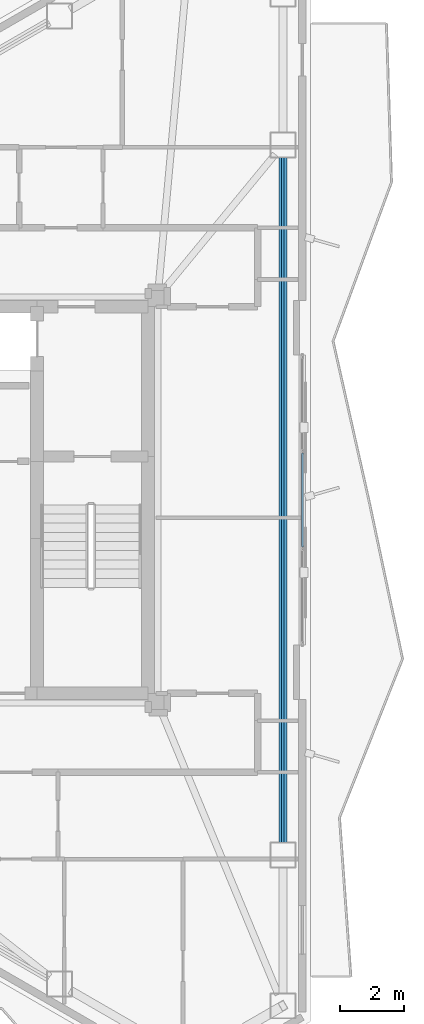
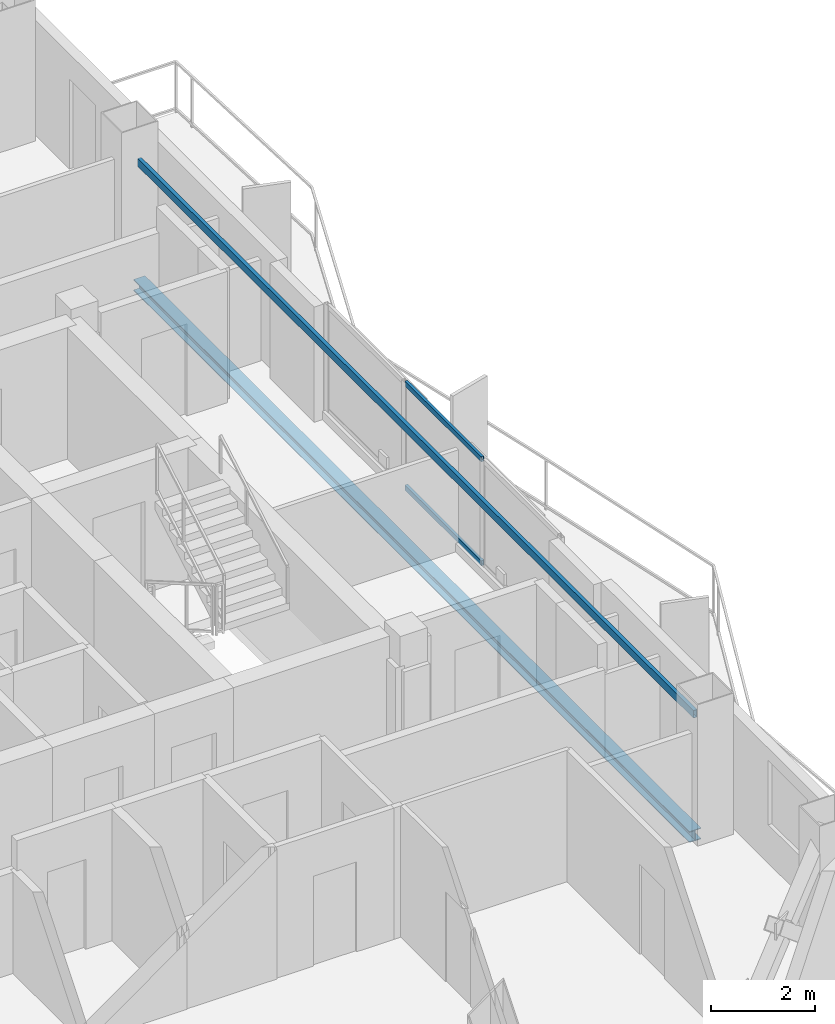
# One storey, part 12 of 22: 2 beams, 2 members, 1 element without a shape of its own.
"""IFC4 building model written with IfcOpenShell, lengths in metres."""

from ifc_helpers import new_model, si_unit, direction, frame, origin, origin_2d, place, context, subcontext, project, spatial, hollow_rectangle, i_section, extrude, material, layer, layer_set, material_profile, profile_set, type_object, element, aggregate, save


model = new_model("IFC4")

# Units and contexts
model_context = context("Model", 3, precision=1e-05, world=origin(), true_north=direction((0.0, 1.0)))
body_context = subcontext(model_context, "Body", "Model", "MODEL_VIEW")
ifc_project = project(units=[si_unit("LENGTHUNIT", "METRE"), si_unit("AREAUNIT", "SQUARE_METRE"), si_unit("VOLUMEUNIT", "CUBIC_METRE"), si_unit("PLANEANGLEUNIT", "RADIAN"), si_unit("MASSUNIT", "GRAM", prefix="KILO")], contexts=[model_context])

# Site, building, storey
site_placement = place(None, origin())
site = spatial("IfcSite", under=ifc_project, at=site_placement, CompositionType="ELEMENT")
building_placement = place(site_placement, origin())
building = spatial("IfcBuilding", under=site, at=building_placement, Name="Mersakhor Tower and Convention Hall", CompositionType="ELEMENT")
storey_placement = place(building_placement, frame((0.0, 0.0, 195.300048828125)))
storey = spatial("IfcBuildingStorey", under=building, at=storey_placement, Name="L54", CompositionType="ELEMENT", Elevation=195.300048828125)

# Beams
ifc_material_1 = material(Name="Steel S355", Category="steel")
ifc_material_profile_1 = material_profile(ifc_material_1, hollow_rectangle(XDim=0.080078125, YDim=0.179931640625, WallThickness=0.008056640625, at=origin_2d()), Name="RHS 180x80x8")
ifc_profile_set_1 = profile_set([ifc_material_profile_1], Name="Steel S355")
beam_type_1 = type_object("IfcBeamType", Name="BM-GRT-RHS180", PredefinedType="USERDEFINED", material=ifc_profile_set_1)
beam_1_placement = place(storey_placement, frame((39.98828125, 37.392822265625, 2.47998046875), z_axis=(0.0, -1.0, 0.0), x_axis=(1.0, 0.0, 0.0)))
element("IfcBeam", 1, at=beam_1_placement, inside=storey, type_object=beam_type_1, Name="L54 Facade Support Girt GRT-F2", ObjectType="GIRT", PredefinedType="USERDEFINED", context=body_context, shape_type="SweptSolid", body=[
    extrude(hollow_rectangle(XDim=0.080078125, YDim=0.179931640625, WallThickness=0.008056640625, at=origin_2d()), origin(), (0.0, 0.0, 1.0), 21.28564453125),
])
ifc_material_2 = material(Name="Steel S355", Category="steel")
ifc_material_profile_2 = material_profile(ifc_material_2, i_section(OverallWidth=0.25634765625, OverallDepth=0.26025390625, WebThickness=0.01025390625, FlangeThickness=0.017333984375, at=origin_2d()), Name="UC 254x254x89")
ifc_profile_set_2 = profile_set([ifc_material_profile_2], Name="Steel S355")
beam_type_2 = type_object("IfcBeamType", Name="BM-SPD-UC254", PredefinedType="SPANDREL", material=ifc_profile_set_2)
beam_2_placement = place(storey_placement, frame((39.98828125, 37.392822265625, -0.360107421875), z_axis=(0.0, -1.0, 0.0), x_axis=(1.0, 0.0, 0.0)))
element("IfcBeam", 2, at=beam_2_placement, inside=storey, type_object=beam_type_2, Name="L54 Perimeter Spandrel Beam SPB-06", PredefinedType="SPANDREL", context=body_context, shape_type="SweptSolid", body=[
    extrude(i_section(OverallWidth=0.25634765625, OverallDepth=0.26025390625, WebThickness=0.01025390625, FlangeThickness=0.017333984375, at=origin_2d()), origin(), (0.0, 0.0, 1.0), 21.28564453125),
])

# Curtain wall, members
ifc_material_3 = material(Name="Dark solar low-E aluminium curtain wall", Category="aluminium")
ifc_layer = layer(ifc_material_3, 0.169921875)
ifc_layer_set = layer_set([ifc_layer], Name="Dark solar low-E aluminium curtain wall")
curtain_wall_type = type_object("IfcCurtainWallType", Name="CW-SYS-02", PredefinedType="USERDEFINED", material=ifc_layer_set)
curtain_wall_placement = place(storey_placement, origin())
curtain_wall = element("IfcCurtainWall", 3, at=curtain_wall_placement, inside=storey, type_object=curtain_wall_type, Name="L54 Dark-Glass Curtain Wall F2-B2", ObjectType="CURTAIN WALL", PredefinedType="USERDEFINED")
ifc_material_4 = material(Name="Anodised aluminium EN AW-6063 T6", Category="aluminium")
ifc_material_profile_3 = material_profile(ifc_material_4, hollow_rectangle(XDim=0.06005859375, YDim=0.1201171875, WallThickness=0.0048828125, at=origin_2d()), Name="RHS 120x60x5")
ifc_profile_set_3 = profile_set([ifc_material_profile_3], Name="Anodised aluminium EN AW-6063 T6")
member_type = type_object("IfcMemberType", Name="CWT-120x60", PredefinedType="USERDEFINED", material=ifc_profile_set_3)
member_1_placement = place(storey_placement, frame((40.58837890625, 28.21240234375, 0.22998046875), z_axis=(0.0, -1.0, 0.0), x_axis=(1.0, 0.0, 0.0)))
member_1 = element("IfcMember", 4, at=member_1_placement, type_object=member_type, Name="CW-02 transom 2.1", ObjectType="TRANSOM", PredefinedType="USERDEFINED", context=body_context, shape_type="SweptSolid", body=[
    extrude(hollow_rectangle(XDim=0.06005859375, YDim=0.1201171875, WallThickness=0.0048828125, at=origin_2d()), origin(), (0.0, 0.0, 1.0), 2.9248046875),
])
member_2_placement = place(storey_placement, frame((40.58837890625, 28.21240234375, 2.659912109375), z_axis=(0.0, -1.0, 0.0), x_axis=(1.0, 0.0, 0.0)))
member_2 = element("IfcMember", 5, at=member_2_placement, type_object=member_type, Name="CW-02 transom 2.2", ObjectType="TRANSOM", PredefinedType="USERDEFINED", context=body_context, shape_type="SweptSolid", body=[
    extrude(hollow_rectangle(XDim=0.06005859375, YDim=0.1201171875, WallThickness=0.0048828125, at=origin_2d()), origin(), (0.0, 0.0, 1.0), 2.9248046875),
])
aggregate(curtain_wall, [member_1, member_2])

save(model, "model.ifc")
